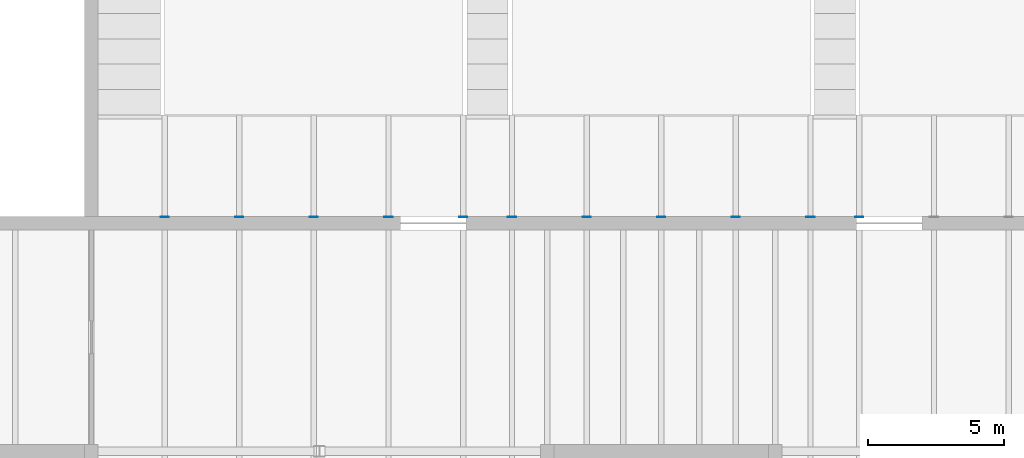
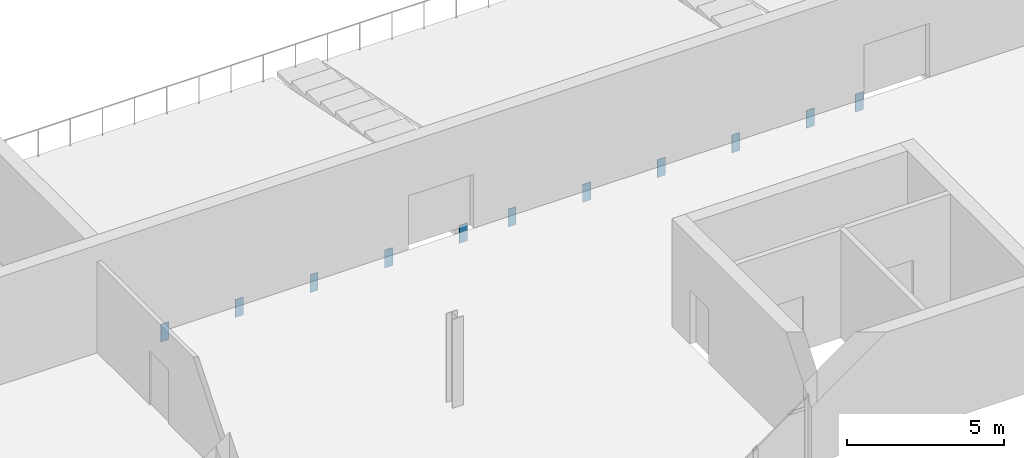
# One storey, part 85 of 100: 11 discrete accessories.
"""IFC4 building model written with IfcOpenShell, lengths in metres."""

from ifc_helpers import new_model, si_unit, direction, frame, origin, origin_2d, place, context, subcontext, project, spatial, rectangle, extrude, material, layer, layer_set, type_object, element, save


model = new_model("IFC4")

# Units and contexts
model_context = context("Model", 3, precision=1e-05, world=origin(), true_north=direction((0.0, 1.0)))
body_context = subcontext(model_context, "Body", "Model", "MODEL_VIEW")
ifc_project = project(units=[si_unit("LENGTHUNIT", "METRE"), si_unit("AREAUNIT", "SQUARE_METRE"), si_unit("VOLUMEUNIT", "CUBIC_METRE"), si_unit("PLANEANGLEUNIT", "RADIAN"), si_unit("MASSUNIT", "GRAM", prefix="KILO")], contexts=[model_context])

# Site, building, storey
site_placement = place(None, origin())
site = spatial("IfcSite", under=ifc_project, at=site_placement, CompositionType="ELEMENT")
building_placement = place(site_placement, origin())
building = spatial("IfcBuilding", under=site, at=building_placement, Name="Cresset Court Congress Hotel", CompositionType="ELEMENT")
storey_placement = place(building_placement, frame((0.0, 0.0, 10.199951171875)))
storey = spatial("IfcBuildingStorey", under=building, at=storey_placement, Name="L02", CompositionType="ELEMENT", Elevation=10.199951171875)

# Discrete accessories
ifc_material = material(Name="Structural steel Q355B", Category="steel")
ifc_layer = layer(ifc_material, 0.02001953125)
ifc_layer_set = layer_set([ifc_layer], Name="Cast-in plate 300x700x20")
discrete_accessory_type = type_object("IfcDiscreteAccessoryType", Name="Cast-in plate 300x700x20", PredefinedType="BRACKET", material=ifc_layer_set)
for number, where, z_axis, x_axis, name in (
    (1, (69.89990234375, 75.840087890625, -0.7998046875), (0.0, 0.0, 1.0), (1.0, 0.0, 0.0), "Cast-in plate CK-1a"),
    (2, (72.64990234375, 75.840087890625, -0.7998046875), (0.0, 0.0, 1.0), (1.0, 0.0, 0.0), "Cast-in plate CK-2a"),
    (3, (75.39990234375, 75.840087890625, -0.7998046875), (0.0, 0.0, 1.0), (1.0, 0.0, 0.0), "Cast-in plate CK-3a"),
    (4, (78.14990234375, 75.840087890625, -0.7998046875), (0.0, 0.0, 1.0), (1.0, 0.0, 0.0), "Cast-in plate CK-4a"),
    (5, (80.89990234375, 75.840087890625, -0.7998046875), (0.0, 0.0, 1.0), (1.0, 0.0, 0.0), "Cast-in plate CK-5a"),
    (6, (82.699951171875, 75.840087890625, -0.7998046875), (0.0, 0.0, 1.0), (1.0, 0.0, 0.0), "Cast-in plate CK-6a"),
    (7, (85.449951171875, 75.840087890625, -0.7998046875), (0.0, 0.0, 1.0), (1.0, 0.0, 0.0), "Cast-in plate CK-7a"),
    (8, (88.199951171875, 75.840087890625, -0.7998046875), (0.0, 0.0, 1.0), (1.0, 0.0, 0.0), "Cast-in plate CK-8a"),
    (9, (90.949951171875, 75.840087890625, -0.7998046875), (0.0, 0.0, 1.0), (1.0, 0.0, 0.0), "Cast-in plate CK-9a"),
    (10, (93.699951171875, 75.840087890625, -0.7998046875), (0.0, 0.0, 1.0), (1.0, 0.0, 0.0), "Cast-in plate CK-10a"),
    (11, (95.5, 75.840087890625, -0.7998046875), (0.0, 0.0, 1.0), (1.0, 0.0, 0.0), "Cast-in plate CK-11a"),
):
    element("IfcDiscreteAccessory", number, at=place(storey_placement, frame(where, z_axis=z_axis, x_axis=x_axis)), inside=storey, type_object=discrete_accessory_type, Name=name, PredefinedType="BRACKET", context=body_context, shape_type="SweptSolid", body=[
        extrude(rectangle(XDim=0.300048828125, YDim=0.02001953125, at=origin_2d()), origin(), (0.0, 0.0, 1.0), 0.699951171875),
    ])

save(model, "model.ifc")
